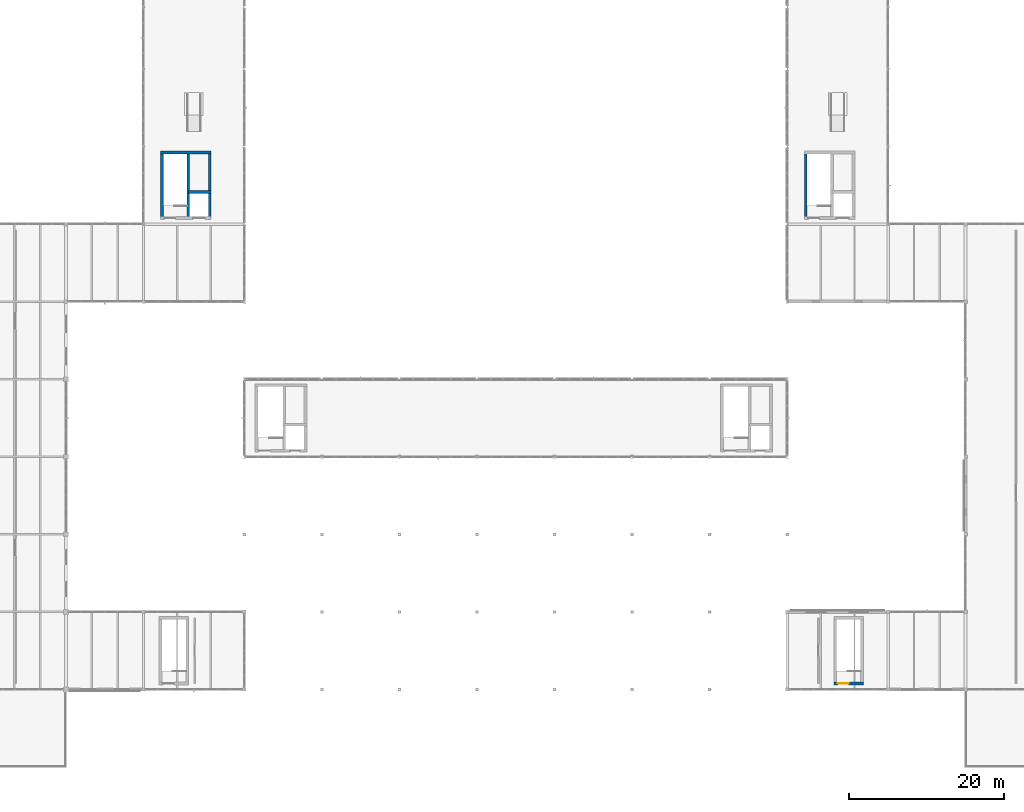
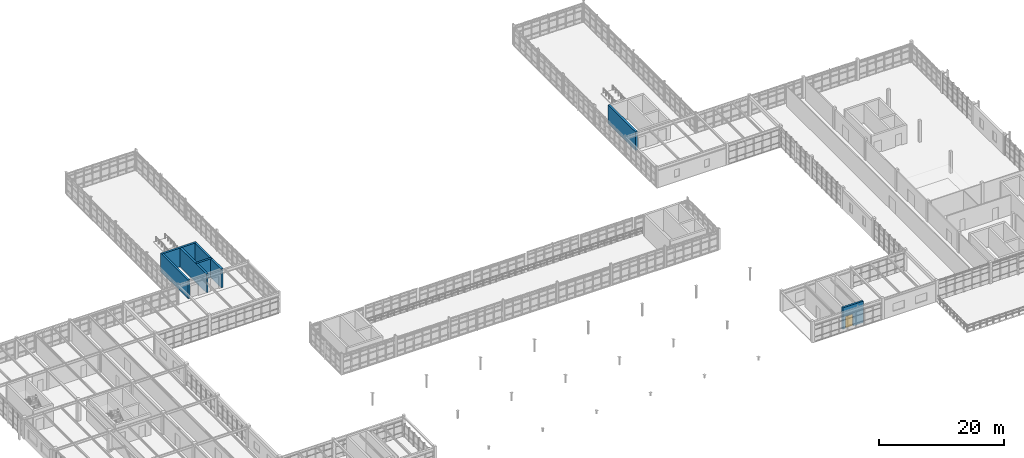
# One storey, part 108 of 122: 7 walls, 1 door, 1 opening.
"""IFC4 building model written with IfcOpenShell, lengths in metres."""

from ifc_helpers import new_model, si_unit, direction, frame, frame_2d, origin, place, context, subcontext, project, spatial, rectangle, extrude, material, layer, layer_set, type_object, element, fill, save


model = new_model("IFC4")

# Units and contexts
model_context = context("Model", 3, precision=1e-05, world=origin(), true_north=direction((0.0, 1.0)))
body_context = subcontext(model_context, "Body", "Model", "MODEL_VIEW")
ifc_project = project(units=[si_unit("LENGTHUNIT", "METRE"), si_unit("AREAUNIT", "SQUARE_METRE"), si_unit("VOLUMEUNIT", "CUBIC_METRE"), si_unit("PLANEANGLEUNIT", "RADIAN"), si_unit("MASSUNIT", "GRAM", prefix="KILO"), si_unit("THERMODYNAMICTEMPERATUREUNIT", "KELVIN"), si_unit("POWERUNIT", "WATT")], contexts=[model_context])

# Site, building, storey
site_placement = place(None, origin())
site = spatial("IfcSite", under=ifc_project, at=site_placement, CompositionType="ELEMENT")
building_placement = place(site_placement, origin())
building = spatial("IfcBuilding", under=site, at=building_placement, Name="Korenveer Ferry Terminal", CompositionType="ELEMENT")
storey_placement = place(building_placement, frame((0.0, 0.0, 10.199951171875)))
storey = spatial("IfcBuildingStorey", under=building, at=storey_placement, Name="L02", CompositionType="ELEMENT", Elevation=10.199951171875)

# Walls
ifc_material_1 = material(Name="Concrete C45/55", Category="concrete")
ifc_layer = layer(ifc_material_1, 0.360107421875)
ifc_layer_set = layer_set([ifc_layer], Name="Concrete C45/55")
wall_type = type_object("IfcWallType", Name="INT-WL-CORE360", PredefinedType="SHEAR", material=ifc_layer_set)
wall_1_placement = place(storey_placement, frame((42.199951171875, 89.219970703125, 0.0), z_axis=(0.0, 0.0, 1.0), x_axis=(1.0, 0.0, 0.0)))
element("IfcWall", 1, at=wall_1_placement, inside=storey, type_object=wall_type, Name="West Berth Pier Core K7 north shear wall L02", PredefinedType="SHEAR", context=body_context, shape_type="SweptSolid", body=[
    extrude(rectangle(XDim=6.52001953125, YDim=0.360107421875, at=frame_2d((3.260009765625, 0.0))), origin(), (0.0, 0.0, 1.0), 3.650146484375),
])
for number, where, z_axis, x_axis, name in (
    (2, (42.3798828125, 80.60009765625, 0.0), (0.0, 0.0, 1.0), (0.0, 1.0, 0.0), "West Berth Pier Core K7 west shear wall L02"),
    (3, (48.5400390625, 80.60009765625, 0.0), (0.0, 0.0, 1.0), (0.0, 1.0, 0.0), "West Berth Pier Core K7 east shear wall L02"),
    (4, (45.780029296875, 80.60009765625, 0.0), (0.0, 0.0, 1.0), (0.0, 1.0, 0.0), "West Berth Pier Core K7 shaft divider wall L02"),
):
    element("IfcWall", number, at=place(storey_placement, frame(where, z_axis=z_axis, x_axis=x_axis)), inside=storey, type_object=wall_type, Name=name, PredefinedType="SHEAR", context=body_context, shape_type="SweptSolid", body=[
        extrude(rectangle(XDim=8.7998046875, YDim=0.360107421875, at=frame_2d((4.39990234375, 0.0))), origin(), (0.0, 0.0, 1.0), 3.650146484375),
    ])
wall_2_placement = place(storey_placement, frame((45.780029296875, 84.139892578125, 0.0), z_axis=(0.0, 0.0, 1.0), x_axis=(1.0, 0.0, 0.0)))
element("IfcWall", 5, at=wall_2_placement, inside=storey, type_object=wall_type, Name="West Berth Pier Core K7 lift shaft wall L02", PredefinedType="SHEAR", context=body_context, shape_type="SweptSolid", body=[
    extrude(rectangle(XDim=2.93994140625, YDim=0.360107421875, at=frame_2d((1.469970703125, 0.0))), origin(), (0.0, 0.0, 1.0), 3.650146484375),
])
wall_3_placement = place(storey_placement, frame((125.3798828125, 80.60009765625, 0.0), z_axis=(0.0, 0.0, 1.0), x_axis=(0.0, 1.0, 0.0)))
element("IfcWall", 6, at=wall_3_placement, inside=storey, type_object=wall_type, Name="East Berth Pier Core K8 west shear wall L02", PredefinedType="SHEAR", context=body_context, shape_type="SweptSolid", body=[
    extrude(rectangle(XDim=8.7998046875, YDim=0.360107421875, at=frame_2d((4.39990234375, 0.0))), origin(), (0.0, 0.0, 1.0), 3.650146484375),
])

# Wall, opening, door
wall_4_placement = place(storey_placement, frame((129.0, 20.780029296875, 0.0), z_axis=(0.0, 0.0, 1.0), x_axis=(1.0, 0.0, 0.0)))
wall_4 = element("IfcWall", 7, at=wall_4_placement, inside=storey, type_object=wall_type, Name="Arrivals East Stair Core K10 south shear wall L02", PredefinedType="SHEAR", context=body_context, shape_type="SweptSolid", body=[
    extrude(rectangle(XDim=3.820068359375, YDim=0.360107421875, at=frame_2d((1.91015625, 0.0))), origin(), (0.0, 0.0, 1.0), 4.199951171875),
])
opening_placement = place(wall_4_placement, frame((0.510009765625, 0.0, 0.0)))
opening = element("IfcOpeningElement", 8, at=opening_placement, cuts=wall_4, Name="Opening SD-34", PredefinedType="OPENING", context=body_context, shape_type="SweptSolid", body=[
    extrude(rectangle(XDim=1.39990234375, YDim=2.35009765625, at=frame_2d((0.699951171875, 1.175048828125))), frame((0.0, 0.18994140625, 0.0), z_axis=(0.0, -1.0, 0.0), x_axis=(1.0, 0.0, 0.0)), (0.0, 0.0, 1.0), 0.380126953125),
])
ifc_material_2 = material(Name="Solid hardwood and steel acoustic door", Category="steel")
door_type = type_object("IfcDoorType", Name="INT-DR-ST140", OperationType="NOTDEFINED", PredefinedType="DOOR", material=ifc_material_2)
door_placement = place(opening_placement, origin())
door = element("IfcDoor", 9, at=door_placement, inside=storey, type_object=door_type, Name="ST10 Stair Door L02", OperationType="SINGLE_SWING_RIGHT", OverallHeight=2.35009765625, OverallWidth=1.39990234375, PredefinedType="DOOR", context=body_context, shape_type="SweptSolid", body=[
    extrude(rectangle(XDim=1.39990234375, YDim=2.35009765625, at=frame_2d((0.699951171875, 1.175048828125))), frame((0.0, 0.02490234375, 0.0), z_axis=(0.0, -1.0, 0.0), x_axis=(1.0, 0.0, 0.0)), (0.0, 0.0, 1.0), 0.050048828125),
])
fill(opening, door)

save(model, "model.ifc")
